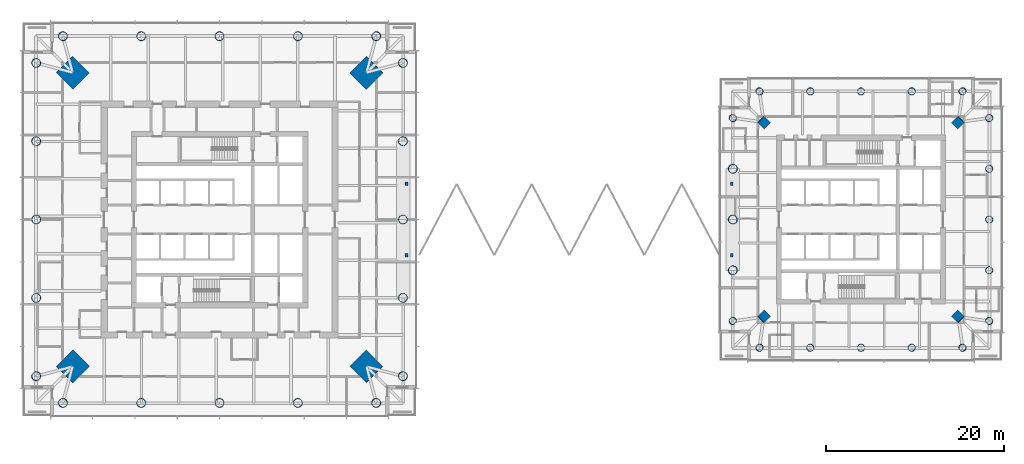
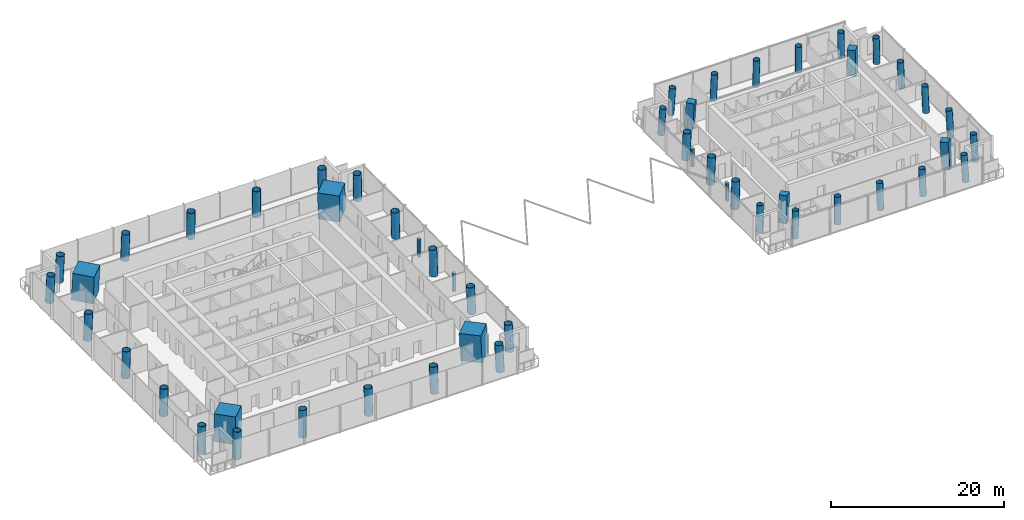
# One storey, part 1 of 19: 52 columns.
"""IFC4 building model written with IfcOpenShell, lengths in metres."""

import ifcopenshell
import ifcopenshell.guid

model = None  # the IFC model being written
_history = None  # IfcOwnerHistory: only IFC2X3 demands one
_inside = {}  # id of a spatial element -> (the spatial element, [elements in it])
_under = {}  # id of a project, library or spatial element -> (it, [spatial elements below it])
_declared = {}  # id of a project -> (the project, [libraries it declares])
_typed = {}  # id of a type object -> (the type object, [elements of that type])
_made_of = {}  # id of a material, layer set ... -> (it, [elements and type objects made of it])


def new_model(schema):
    """Start an empty IFC model of exactly this schema.

    Asked for "IFC4X3", IfcOpenShell would pick the latest addendum, in which some entities
    have other attributes; the version numbers below select the first issue.
    IFC2X3 requires an IfcOwnerHistory on every rooted entity: one is made here for all.
    """
    global model, _history
    if schema == "IFC4X3":
        model = ifcopenshell.file(schema_version=(4, 3, 0, 0))
    else:
        model = ifcopenshell.file(schema=schema)
    _inside.clear()
    _under.clear()
    _declared.clear()
    _typed.clear()
    _made_of.clear()
    _history = None
    if model.schema == "IFC2X3":
        org = make("IfcOrganization", Name="unknown")
        user = make(
            "IfcPersonAndOrganization",
            ThePerson=make("IfcPerson", FamilyName="unknown"),
            TheOrganization=org,
        )
        app = make(
            "IfcApplication",
            ApplicationDeveloper=org,
            Version="unknown",
            ApplicationFullName="unknown",
            ApplicationIdentifier="unknown",
        )
        _history = make(
            "IfcOwnerHistory",
            OwningUser=user,
            OwningApplication=app,
            ChangeAction="ADDED",
            CreationDate=0,
        )
    return model


def make(cls, **values):
    """One entity of the class cls with the attributes given. An attribute that is None is left unset."""
    return model.create_entity(
        cls, **{name: value for name, value in values.items() if value is not None}
    )


def rooted(cls, **values):
    """An entity with a GlobalId (a new one), such as an element, a storey or a relation."""
    return make(cls, GlobalId=ifcopenshell.guid.new(), OwnerHistory=_history, **values)


def si_unit(unit_type, name, prefix=None):
    """IfcSIUnit, for example si_unit("LENGTHUNIT", "METRE", prefix="MILLI")."""
    return make("IfcSIUnit", UnitType=unit_type, Prefix=prefix, Name=name)


def assignment(units):
    """IfcUnitAssignment: the units of a project."""
    return None if units is None else make("IfcUnitAssignment", Units=units)


def point(xyz):
    """IfcCartesianPoint."""
    return None if xyz is None else make("IfcCartesianPoint", Coordinates=xyz)


def direction(xyz):
    """IfcDirection."""
    return None if xyz is None else make("IfcDirection", DirectionRatios=xyz)


def frame(location, z_axis=None, x_axis=None):
    """IfcAxis2Placement3D, a coordinate frame: its origin and axes. An axis left out is left unset."""
    return make(
        "IfcAxis2Placement3D",
        Location=point(location),
        Axis=direction(z_axis),
        RefDirection=direction(x_axis),
    )


def frame_2d(location, x_axis=None):
    """IfcAxis2Placement2D, a coordinate frame in the plane: its origin and x axis."""
    return make(
        "IfcAxis2Placement2D", Location=point(location), RefDirection=direction(x_axis)
    )


def origin():
    """The frame at (0, 0, 0) with its axes left unset."""
    return frame((0.0, 0.0, 0.0))


def origin_2d():
    """The frame at (0, 0) in the plane with its x axis left unset."""
    return frame_2d((0.0, 0.0))


def place(relative_to, where):
    """IfcLocalPlacement: puts the frame where relative to a parent placement (None: the world)."""
    return make(
        "IfcLocalPlacement", PlacementRelTo=relative_to, RelativePlacement=where
    )


def context(
    kind, dimensions, precision=None, world=None, true_north=None, identifier=None
):
    """IfcGeometricRepresentationContext, for example the 3D "Model" context."""
    return make(
        "IfcGeometricRepresentationContext",
        ContextIdentifier=identifier,
        ContextType=kind,
        CoordinateSpaceDimension=dimensions,
        Precision=precision,
        WorldCoordinateSystem=world,
        TrueNorth=true_north,
    )


def subcontext(parent, identifier, kind, view, scale=None):
    """IfcGeometricRepresentationSubContext, for example "Body" below "Model"."""
    return make(
        "IfcGeometricRepresentationSubContext",
        ContextIdentifier=identifier,
        ContextType=kind,
        ParentContext=parent,
        TargetScale=scale,
        TargetView=view,
    )


def project(units=None, contexts=None):
    """IfcProject with its units and contexts."""
    return rooted(
        "IfcProject",
        Name="project",
        RepresentationContexts=contexts,
        UnitsInContext=assignment(units),
    )


def spatial(cls, under=None, at=None, **own):
    """A site, building, storey or space (cls), placed at a placement, below another one or the project."""
    s = rooted(cls, ObjectPlacement=at, **own)
    if under is not None:
        _under.setdefault(under.id(), (under, []))[1].append(s)
    return s


def profile(cls, at=None, kind="AREA", **sizes):
    """A parametric profile (cls). Its sizes go by their IFC names, for example OverallWidth=200.0."""
    return make(cls, ProfileType=kind, Position=at, **sizes)


def rectangle(**sizes):
    """IfcRectangleProfileDef."""
    return profile("IfcRectangleProfileDef", **sizes)


def hollow_circle(**sizes):
    """IfcCircleHollowProfileDef."""
    return profile("IfcCircleHollowProfileDef", **sizes)


def extrude(swept, where, along, depth):
    """IfcExtrudedAreaSolid: the profile swept, set in the frame where, extruded along a direction by depth."""
    return make(
        "IfcExtrudedAreaSolid",
        SweptArea=swept,
        Position=where,
        ExtrudedDirection=direction(along),
        Depth=depth,
    )


def shape(context_of_items, identifier, shape_type, items):
    """IfcShapeRepresentation: the items that make up one representation, for example the "Body"."""
    return make(
        "IfcShapeRepresentation",
        ContextOfItems=context_of_items,
        RepresentationIdentifier=identifier,
        RepresentationType=shape_type,
        Items=items,
    )


def material(Name=None, Category=None):
    """IfcMaterial."""
    return make("IfcMaterial", Name=Name, Category=Category)


def material_profile(
    of_material, cross_section, Name=None, Category=None, Priority=None
):
    """IfcMaterialProfile: a cross section and its material."""
    return make(
        "IfcMaterialProfile",
        Name=Name,
        Material=of_material,
        Profile=cross_section,
        Priority=Priority,
        Category=Category,
    )


def profile_set(profiles, Name=None, composite=None):
    """IfcMaterialProfileSet."""
    return make(
        "IfcMaterialProfileSet",
        Name=Name,
        MaterialProfiles=profiles,
        CompositeProfile=composite,
    )


def made_of(thing, what):
    """Note that an element or type object is made of a material, layer set ...; save() writes the relation."""
    if what is not None:
        _made_of.setdefault(what.id(), (what, []))[1].append(thing)
    return thing


def type_object(cls, material=None, **own):
    """A type object (cls), such as IfcWallType, which elements share."""
    return made_of(rooted(cls, **own), material)


def element(
    cls,
    number,
    at=None,
    inside=None,
    cuts=None,
    type_object=None,
    material=None,
    context=None,
    identifier="Body",
    shape_type=None,
    held_by="IfcProductDefinitionShape",
    body=None,
    shapes=None,
    **own,
):
    """One element of the class cls, such as IfcWall. Its Tag is "e" and its number.

    at: its placement. inside: the storey or other place that contains it. cuts: it is an
    opening in that element (IfcRelVoidsElement). A single representation is given by context,
    identifier, shape_type and body (its items); several are given by shapes. held_by: the class
    of the entity that holds the representations. save() writes the other relations.
    """
    e = rooted(cls, Tag="e%d" % number, ObjectPlacement=at, **own)
    if body is not None:
        shapes = [shape(context, identifier, shape_type, body)]
    if shapes is not None:
        e.Representation = make(held_by, Representations=shapes)
    if inside is not None:
        _inside.setdefault(inside.id(), (inside, []))[1].append(e)
    if cuts is not None:
        rooted(
            "IfcRelVoidsElement", RelatingBuildingElement=cuts, RelatedOpeningElement=e
        )
    if type_object is not None:
        _typed.setdefault(type_object.id(), (type_object, []))[1].append(e)
    return made_of(e, material)


def aggregate(whole, parts):
    """IfcRelAggregates: a whole, such as a stair, and the parts it consists of."""
    return rooted("IfcRelAggregates", RelatingObject=whole, RelatedObjects=parts)


def save(model, path):
    """Write the relations noted so far, then the file.

    IfcRelAggregates (storeys below a building ...), IfcRelContainedInSpatialStructure (elements
    in a storey), IfcRelDefinesByType, IfcRelAssociatesMaterial and IfcRelDeclares: one each for
    every whole, place, type object, material and project.
    """
    for whole, parts in _under.values():
        aggregate(whole, parts)
    for where, things in _inside.values():
        rooted(
            "IfcRelContainedInSpatialStructure",
            RelatedElements=things,
            RelatingStructure=where,
        )
    for kind, things in _typed.values():
        rooted("IfcRelDefinesByType", RelatedObjects=things, RelatingType=kind)
    for what, things in _made_of.values():
        rooted("IfcRelAssociatesMaterial", RelatedObjects=things, RelatingMaterial=what)
    for by, libraries in _declared.values():
        rooted("IfcRelDeclares", RelatingContext=by, RelatedDefinitions=libraries)
    model.write(path)


model = new_model("IFC4")

# Units and contexts
model_context = context("Model", 3, precision=1e-05, world=origin(), true_north=direction((0.0, 1.0)))
body_context = subcontext(model_context, "Body", "Model", "MODEL_VIEW")
ifc_project = project(units=[si_unit("LENGTHUNIT", "METRE"), si_unit("AREAUNIT", "SQUARE_METRE"), si_unit("VOLUMEUNIT", "CUBIC_METRE"), si_unit("PLANEANGLEUNIT", "RADIAN"), si_unit("MASSUNIT", "GRAM", prefix="KILO")], contexts=[model_context])

# Site, building, storey
site_placement = place(None, origin())
site = spatial("IfcSite", under=ifc_project, at=site_placement, CompositionType="ELEMENT")
building_placement = place(site_placement, origin())
building = spatial("IfcBuilding", under=site, at=building_placement, Name="Ostroluk Exchange", CompositionType="ELEMENT")
storey_placement = place(building_placement, frame((0.0, 0.0, 127.39990234375)))
storey = spatial("IfcBuildingStorey", under=building, at=storey_placement, Name="L32", CompositionType="ELEMENT", Elevation=127.39990234375)

# Columns
ifc_material_1 = material(Name="Steel S355", Category="steel")
ifc_material_profile_1 = material_profile(ifc_material_1, rectangle(XDim=0.300048828125, YDim=0.39990234375, at=origin_2d()), Name="PL 300x400")
ifc_profile_set_1 = profile_set([ifc_material_profile_1], Name="Steel S355")
column_type_1 = type_object("IfcColumnType", Name="Bearing pedestal 300 x 400 x 2548", PredefinedType="COLUMN", material=ifc_profile_set_1)
for number, where, z_axis, x_axis, name in (
    (1, (65.978515625, 42.0, 0.0), (0.0, 0.0, 1.0), (1.0, 0.0, 0.0), "BR2 S bearing pedestal W"),
    (2, (102.5, 42.0, 0.0), (0.0, 0.0, 1.0), (1.0, 0.0, 0.0), "BR2 S bearing pedestal E"),
    (3, (65.978515625, 50.0, 0.0), (0.0, 0.0, 1.0), (1.0, 0.0, 0.0), "BR2 N bearing pedestal W"),
    (4, (102.5, 50.0, 0.0), (0.0, 0.0, 1.0), (1.0, 0.0, 0.0), "BR2 N bearing pedestal E"),
):
    element("IfcColumn", number, at=place(storey_placement, frame(where, z_axis=z_axis, x_axis=x_axis)), inside=storey, type_object=column_type_1, Name=name, PredefinedType="COLUMN", context=body_context, shape_type="SweptSolid", body=[
        extrude(rectangle(XDim=0.300048828125, YDim=0.39990234375, at=origin_2d()), origin(), (0.0, 0.0, 1.0), 2.548095703125),
    ])
ifc_material_2 = material(Name="Concrete C50/60", Category="concrete")
ifc_material_profile_2 = material_profile(ifc_material_2, rectangle(XDim=1.0, YDim=1.0, at=origin_2d()), Name="RC 1000x1000")
ifc_profile_set_2 = profile_set([ifc_material_profile_2], Name="Concrete C50/60")
column_type_2 = type_object("IfcColumnType", Name="Mega column RC 1000x1000", PredefinedType="COLUMN", material=ifc_profile_set_2)
for number, where, z_axis, x_axis, name in (
    (5, (127.913818359375, 56.913818359375, 0.0), (-0.043029647111, -0.043029647111, 0.998146732169), (0.707106781187, -0.707106781187, 0.0), "T2 mega column NE"),
    (6, (106.086181640625, 56.913818359375, 0.0), (0.043029647111, -0.043029647111, 0.998146732169), (0.707106781187, 0.707106781187, 0.0), "T2 mega column NW"),
    (7, (106.086181640625, 35.086181640625, 0.0), (0.043029647111, 0.043029647111, 0.998146732169), (-0.707106781187, 0.707106781187, 0.0), "T2 mega column SW"),
    (8, (127.913818359375, 35.086181640625, 0.0), (-0.043029647111, 0.043029647111, 0.998146732169), (-0.707106781187, -0.707106781187, 0.0), "T2 mega column SE"),
):
    element("IfcColumn", number, at=place(storey_placement, frame(where, z_axis=z_axis, x_axis=x_axis)), inside=storey, type_object=column_type_2, Name=name, PredefinedType="COLUMN", context=body_context, shape_type="SweptSolid", body=[
        extrude(rectangle(XDim=1.0, YDim=1.0, at=origin_2d()), origin(), (0.0, 0.0, 1.0), 3.80712890625),
    ])
ifc_material_3 = material(Name="Concrete C50/60", Category="concrete")
ifc_material_profile_3 = material_profile(ifc_material_3, rectangle(XDim=2.60009765625, YDim=2.60009765625, at=origin_2d()), Name="RC 2600x2600")
ifc_profile_set_3 = profile_set([ifc_material_profile_3], Name="Concrete C50/60")
column_type_3 = type_object("IfcColumnType", Name="Mega column RC 2600x2600", PredefinedType="COLUMN", material=ifc_profile_set_3)
for number, where, z_axis, x_axis, name in (
    (9, (61.5, 62.5, 0.0), (-0.031898107953, -0.031898107953, 0.998981992539), (0.707106781187, -0.707106781187, 0.0), "T1 mega column NE"),
    (10, (28.5, 62.5, 0.0), (0.031898107953, -0.031898107953, 0.998981992539), (0.707106781187, 0.707106781187, 0.0), "T1 mega column NW"),
    (11, (28.5, 29.5, 0.0), (0.031898107953, 0.031898107953, 0.998981992539), (-0.707106781187, 0.707106781187, 0.0), "T1 mega column SW"),
    (12, (61.5, 29.5, 0.0), (-0.031898107953, 0.031898107953, 0.998981992539), (-0.707106781187, -0.707106781187, 0.0), "T1 mega column SE"),
):
    element("IfcColumn", number, at=place(storey_placement, frame(where, z_axis=z_axis, x_axis=x_axis)), inside=storey, type_object=column_type_3, Name=name, PredefinedType="COLUMN", context=body_context, shape_type="SweptSolid", body=[
        extrude(rectangle(XDim=2.60009765625, YDim=2.60009765625, at=origin_2d()), origin(), (0.0, 0.0, 1.0), 3.803955078125),
    ])
ifc_material_4 = material(Name="Steel S460", Category="steel")
ifc_material_profile_4 = material_profile(ifc_material_4, hollow_circle(Radius=0.508056640625, WallThickness=0.0400390625, at=origin_2d()), Name="CHS 1016x40")
ifc_profile_set_4 = profile_set([ifc_material_profile_4], Name="Steel S460")
column_type_4 = type_object("IfcColumnType", Name="Perimeter column CHS 1016x40", PredefinedType="COLUMN", material=ifc_profile_set_4)
for number, where, z_axis, x_axis, name in (
    (13, (65.60009765625, 28.39990234375, 0.0), (-0.031962158256, 0.031962158256, 0.998977898093), (-0.707106781187, -0.707106781187, 0.0), "T1 east face column E0"),
    (14, (65.60009765625, 63.60009765625, 0.0), (-0.031962158256, -0.031962158256, 0.998977898093), (0.707106781187, -0.707106781187, 0.0), "T1 east face column E1"),
):
    element("IfcColumn", number, at=place(storey_placement, frame(where, z_axis=z_axis, x_axis=x_axis)), inside=storey, type_object=column_type_4, Name=name, PredefinedType="COLUMN", context=body_context, shape_type="SweptSolid", body=[
        extrude(hollow_circle(Radius=0.508056640625, WallThickness=0.0400390625, at=origin_2d()), origin(), (0.0, 0.0, 1.0), 3.803955078125),
    ])
column_1_placement = place(storey_placement, frame((65.60009765625, 37.199951171875, 0.0), z_axis=(-0.031974409754, 0.015987204877, 0.999360818924), x_axis=(-0.4472135955, -0.894427191, 0.0)))
element("IfcColumn", 15, at=column_1_placement, inside=storey, type_object=column_type_4, Name="T1 east face column I1", PredefinedType="COLUMN", context=body_context, shape_type="SweptSolid", body=[
    extrude(hollow_circle(Radius=0.508056640625, WallThickness=0.0400390625, at=origin_2d()), origin(), (0.0, 0.0, 1.0), 3.802490234375),
])
column_2_placement = place(storey_placement, frame((65.60009765625, 46.0, 0.0), z_axis=(-0.031978496719, 0.0, 0.999488557087), x_axis=(0.0, -1.0, 0.0)))
element("IfcColumn", 16, at=column_2_placement, inside=storey, type_object=column_type_4, Name="T1 east face column I2", PredefinedType="COLUMN", context=body_context, shape_type="SweptSolid", body=[
    extrude(hollow_circle(Radius=0.508056640625, WallThickness=0.0400390625, at=origin_2d()), origin(), (0.0, 0.0, 1.0), 3.802001953125),
])
column_3_placement = place(storey_placement, frame((65.60009765625, 54.800048828125, 0.0), z_axis=(-0.031974409754, -0.015987204877, 0.999360818924), x_axis=(0.4472135955, -0.894427191, 0.0)))
element("IfcColumn", 17, at=column_3_placement, inside=storey, type_object=column_type_4, Name="T1 east face column I3", PredefinedType="COLUMN", context=body_context, shape_type="SweptSolid", body=[
    extrude(hollow_circle(Radius=0.508056640625, WallThickness=0.0400390625, at=origin_2d()), origin(), (0.0, 0.0, 1.0), 3.802490234375),
])
for number, where, z_axis, x_axis, name in (
    (18, (62.60009765625, 66.60009765625, 0.0), (-0.031962158256, -0.031962158256, 0.998977898093), (0.707106781187, -0.707106781187, 0.0), "T1 north face column E0"),
    (19, (27.39990234375, 66.60009765625, 0.0), (0.031962158256, -0.031962158256, 0.998977898093), (0.707106781187, 0.707106781187, 0.0), "T1 north face column E1"),
):
    element("IfcColumn", number, at=place(storey_placement, frame(where, z_axis=z_axis, x_axis=x_axis)), inside=storey, type_object=column_type_4, Name=name, PredefinedType="COLUMN", context=body_context, shape_type="SweptSolid", body=[
        extrude(hollow_circle(Radius=0.508056640625, WallThickness=0.0400390625, at=origin_2d()), origin(), (0.0, 0.0, 1.0), 3.803955078125),
    ])
column_4_placement = place(storey_placement, frame((53.800048828125, 66.60009765625, 0.0), z_axis=(-0.015987204877, -0.031974409754, 0.999360818924), x_axis=(0.894427191, -0.4472135955, 0.0)))
element("IfcColumn", 20, at=column_4_placement, inside=storey, type_object=column_type_4, Name="T1 north face column I1", PredefinedType="COLUMN", context=body_context, shape_type="SweptSolid", body=[
    extrude(hollow_circle(Radius=0.508056640625, WallThickness=0.0400390625, at=origin_2d()), origin(), (0.0, 0.0, 1.0), 3.802490234375),
])
column_5_placement = place(storey_placement, frame((45.0, 66.60009765625, 0.0), z_axis=(0.0, -0.031978496719, 0.999488557087), x_axis=(1.0, 0.0, 0.0)))
element("IfcColumn", 21, at=column_5_placement, inside=storey, type_object=column_type_4, Name="T1 north face column I2", PredefinedType="COLUMN", context=body_context, shape_type="SweptSolid", body=[
    extrude(hollow_circle(Radius=0.508056640625, WallThickness=0.0400390625, at=origin_2d()), origin(), (0.0, 0.0, 1.0), 3.802001953125),
])
column_6_placement = place(storey_placement, frame((36.199951171875, 66.60009765625, 0.0), z_axis=(0.015987204877, -0.031974409754, 0.999360818924), x_axis=(0.894427191, 0.4472135955, 0.0)))
element("IfcColumn", 22, at=column_6_placement, inside=storey, type_object=column_type_4, Name="T1 north face column I3", PredefinedType="COLUMN", context=body_context, shape_type="SweptSolid", body=[
    extrude(hollow_circle(Radius=0.508056640625, WallThickness=0.0400390625, at=origin_2d()), origin(), (0.0, 0.0, 1.0), 3.802490234375),
])
for number, where, z_axis, x_axis, name in (
    (23, (24.39990234375, 63.60009765625, 0.0), (0.031962158256, -0.031962158256, 0.998977898093), (0.707106781187, 0.707106781187, 0.0), "T1 west face column E0"),
    (24, (24.39990234375, 28.39990234375, 0.0), (0.031962158256, 0.031962158256, 0.998977898093), (-0.707106781187, 0.707106781187, 0.0), "T1 west face column E1"),
):
    element("IfcColumn", number, at=place(storey_placement, frame(where, z_axis=z_axis, x_axis=x_axis)), inside=storey, type_object=column_type_4, Name=name, PredefinedType="COLUMN", context=body_context, shape_type="SweptSolid", body=[
        extrude(hollow_circle(Radius=0.508056640625, WallThickness=0.0400390625, at=origin_2d()), origin(), (0.0, 0.0, 1.0), 3.803955078125),
    ])
column_7_placement = place(storey_placement, frame((24.39990234375, 54.800048828125, 0.0), z_axis=(0.031974409754, -0.015987204877, 0.999360818924), x_axis=(0.4472135955, 0.894427191, 0.0)))
element("IfcColumn", 25, at=column_7_placement, inside=storey, type_object=column_type_4, Name="T1 west face column I1", PredefinedType="COLUMN", context=body_context, shape_type="SweptSolid", body=[
    extrude(hollow_circle(Radius=0.508056640625, WallThickness=0.0400390625, at=origin_2d()), origin(), (0.0, 0.0, 1.0), 3.802490234375),
])
column_8_placement = place(storey_placement, frame((24.39990234375, 46.0, 0.0), z_axis=(0.031978496719, 0.0, 0.999488557087), x_axis=(0.0, 1.0, 0.0)))
element("IfcColumn", 26, at=column_8_placement, inside=storey, type_object=column_type_4, Name="T1 west face column I2", PredefinedType="COLUMN", context=body_context, shape_type="SweptSolid", body=[
    extrude(hollow_circle(Radius=0.508056640625, WallThickness=0.0400390625, at=origin_2d()), origin(), (0.0, 0.0, 1.0), 3.802001953125),
])
column_9_placement = place(storey_placement, frame((24.39990234375, 37.199951171875, 0.0), z_axis=(0.031974409754, 0.015987204877, 0.999360818924), x_axis=(-0.4472135955, 0.894427191, 0.0)))
element("IfcColumn", 27, at=column_9_placement, inside=storey, type_object=column_type_4, Name="T1 west face column I3", PredefinedType="COLUMN", context=body_context, shape_type="SweptSolid", body=[
    extrude(hollow_circle(Radius=0.508056640625, WallThickness=0.0400390625, at=origin_2d()), origin(), (0.0, 0.0, 1.0), 3.802490234375),
])
for number, where, z_axis, x_axis, name in (
    (28, (27.39990234375, 25.39990234375, 0.0), (0.031962158256, 0.031962158256, 0.998977898093), (-0.707106781187, 0.707106781187, 0.0), "T1 south face column E0"),
    (29, (62.60009765625, 25.39990234375, 0.0), (-0.031962158256, 0.031962158256, 0.998977898093), (-0.707106781187, -0.707106781187, 0.0), "T1 south face column E1"),
):
    element("IfcColumn", number, at=place(storey_placement, frame(where, z_axis=z_axis, x_axis=x_axis)), inside=storey, type_object=column_type_4, Name=name, PredefinedType="COLUMN", context=body_context, shape_type="SweptSolid", body=[
        extrude(hollow_circle(Radius=0.508056640625, WallThickness=0.0400390625, at=origin_2d()), origin(), (0.0, 0.0, 1.0), 3.803955078125),
    ])
column_10_placement = place(storey_placement, frame((36.199951171875, 25.39990234375, 0.0), z_axis=(0.015987204877, 0.031974409754, 0.999360818924), x_axis=(-0.894427191, 0.4472135955, 0.0)))
element("IfcColumn", 30, at=column_10_placement, inside=storey, type_object=column_type_4, Name="T1 south face column I1", PredefinedType="COLUMN", context=body_context, shape_type="SweptSolid", body=[
    extrude(hollow_circle(Radius=0.508056640625, WallThickness=0.0400390625, at=origin_2d()), origin(), (0.0, 0.0, 1.0), 3.802490234375),
])
column_11_placement = place(storey_placement, frame((45.0, 25.39990234375, 0.0), z_axis=(0.0, 0.031978496719, 0.999488557087), x_axis=(-1.0, 0.0, 0.0)))
element("IfcColumn", 31, at=column_11_placement, inside=storey, type_object=column_type_4, Name="T1 south face column I2", PredefinedType="COLUMN", context=body_context, shape_type="SweptSolid", body=[
    extrude(hollow_circle(Radius=0.508056640625, WallThickness=0.0400390625, at=origin_2d()), origin(), (0.0, 0.0, 1.0), 3.802001953125),
])
column_12_placement = place(storey_placement, frame((53.800048828125, 25.39990234375, 0.0), z_axis=(-0.015987204877, 0.031974409754, 0.999360818924), x_axis=(-0.894427191, -0.4472135955, 0.0)))
element("IfcColumn", 32, at=column_12_placement, inside=storey, type_object=column_type_4, Name="T1 south face column I3", PredefinedType="COLUMN", context=body_context, shape_type="SweptSolid", body=[
    extrude(hollow_circle(Radius=0.508056640625, WallThickness=0.0400390625, at=origin_2d()), origin(), (0.0, 0.0, 1.0), 3.802490234375),
])
column_13_placement = place(storey_placement, frame((102.586181640625, 51.706787109375, 0.0), z_axis=(0.043059584825, -0.021497706284, 0.998841188968), x_axis=(0.446680166538, 0.894693706707, 0.0)))
element("IfcColumn", 33, at=column_13_placement, inside=storey, type_object=column_type_4, Name="T2 west face column I1", PredefinedType="COLUMN", context=body_context, shape_type="SweptSolid", body=[
    extrude(hollow_circle(Radius=0.508056640625, WallThickness=0.0400390625, at=origin_2d()), origin(), (0.0, 0.0, 1.0), 3.804443359375),
])
column_14_placement = place(storey_placement, frame((102.586181640625, 46.0, 0.0), z_axis=(0.043069538298, 0.0, 0.999072076915), x_axis=(0.0, 1.0, 0.0)))
element("IfcColumn", 34, at=column_14_placement, inside=storey, type_object=column_type_4, Name="T2 west face column I2", PredefinedType="COLUMN", context=body_context, shape_type="SweptSolid", body=[
    extrude(hollow_circle(Radius=0.508056640625, WallThickness=0.0400390625, at=origin_2d()), origin(), (0.0, 0.0, 1.0), 3.803466796875),
])
column_15_placement = place(storey_placement, frame((102.586181640625, 40.293212890625, 0.0), z_axis=(0.043059584825, 0.021497706284, 0.998841188968), x_axis=(-0.446680166538, 0.894693706707, 0.0)))
element("IfcColumn", 35, at=column_15_placement, inside=storey, type_object=column_type_4, Name="T2 west face column I3", PredefinedType="COLUMN", context=body_context, shape_type="SweptSolid", body=[
    extrude(hollow_circle(Radius=0.508056640625, WallThickness=0.0400390625, at=origin_2d()), origin(), (0.0, 0.0, 1.0), 3.804443359375),
])
ifc_material_5 = material(Name="Steel S460", Category="steel")
ifc_material_profile_5 = material_profile(ifc_material_5, hollow_circle(Radius=0.406494140625, WallThickness=0.030029296875, at=origin_2d()), Name="CHS 813x30")
ifc_profile_set_5 = profile_set([ifc_material_profile_5], Name="Steel S460")
column_type_5 = type_object("IfcColumnType", Name="Perimeter column CHS 813x30", PredefinedType="COLUMN", material=ifc_profile_set_5)
for number, where, z_axis, x_axis, name in (
    (36, (131.413818359375, 34.586181640625, 0.0), (-0.043029647111, 0.043029647111, 0.998146732169), (-0.707106781187, -0.707106781187, 0.0), "T2 east face column E0"),
    (37, (131.413818359375, 57.413818359375, 0.0), (-0.043029647111, -0.043029647111, 0.998146732169), (0.707106781187, -0.707106781187, 0.0), "T2 east face column E1"),
):
    element("IfcColumn", number, at=place(storey_placement, frame(where, z_axis=z_axis, x_axis=x_axis)), inside=storey, type_object=column_type_5, Name=name, PredefinedType="COLUMN", context=body_context, shape_type="SweptSolid", body=[
        extrude(hollow_circle(Radius=0.406494140625, WallThickness=0.030029296875, at=origin_2d()), origin(), (0.0, 0.0, 1.0), 3.80712890625),
    ])
column_16_placement = place(storey_placement, frame((131.413818359375, 40.293212890625, 0.0), z_axis=(-0.043059584825, 0.021497706284, 0.998841188968), x_axis=(-0.446680166538, -0.894693706707, 0.0)))
element("IfcColumn", 38, at=column_16_placement, inside=storey, type_object=column_type_5, Name="T2 east face column I1", PredefinedType="COLUMN", context=body_context, shape_type="SweptSolid", body=[
    extrude(hollow_circle(Radius=0.406494140625, WallThickness=0.030029296875, at=origin_2d()), origin(), (0.0, 0.0, 1.0), 3.804443359375),
])
column_17_placement = place(storey_placement, frame((131.413818359375, 46.0, 0.0), z_axis=(-0.043069538298, 0.0, 0.999072076915), x_axis=(0.0, -1.0, 0.0)))
element("IfcColumn", 39, at=column_17_placement, inside=storey, type_object=column_type_5, Name="T2 east face column I2", PredefinedType="COLUMN", context=body_context, shape_type="SweptSolid", body=[
    extrude(hollow_circle(Radius=0.406494140625, WallThickness=0.030029296875, at=origin_2d()), origin(), (0.0, 0.0, 1.0), 3.803466796875),
])
column_18_placement = place(storey_placement, frame((131.413818359375, 51.706787109375, 0.0), z_axis=(-0.043059584825, -0.021497706284, 0.998841188968), x_axis=(0.446680166538, -0.894693706707, 0.0)))
element("IfcColumn", 40, at=column_18_placement, inside=storey, type_object=column_type_5, Name="T2 east face column I3", PredefinedType="COLUMN", context=body_context, shape_type="SweptSolid", body=[
    extrude(hollow_circle(Radius=0.406494140625, WallThickness=0.030029296875, at=origin_2d()), origin(), (0.0, 0.0, 1.0), 3.804443359375),
])
for number, where, z_axis, x_axis, name in (
    (41, (128.413818359375, 60.413818359375, 0.0), (-0.043029647111, -0.043029647111, 0.998146732169), (0.707106781187, -0.707106781187, 0.0), "T2 north face column E0"),
    (42, (105.586181640625, 60.413818359375, 0.0), (0.043029647111, -0.043029647111, 0.998146732169), (0.707106781187, 0.707106781187, 0.0), "T2 north face column E1"),
):
    element("IfcColumn", number, at=place(storey_placement, frame(where, z_axis=z_axis, x_axis=x_axis)), inside=storey, type_object=column_type_5, Name=name, PredefinedType="COLUMN", context=body_context, shape_type="SweptSolid", body=[
        extrude(hollow_circle(Radius=0.406494140625, WallThickness=0.030029296875, at=origin_2d()), origin(), (0.0, 0.0, 1.0), 3.80712890625),
    ])
column_19_placement = place(storey_placement, frame((122.706787109375, 60.413818359375, 0.0), z_axis=(-0.021497706284, -0.043059584825, 0.998841188968), x_axis=(0.894693706707, -0.446680166538, 0.0)))
element("IfcColumn", 43, at=column_19_placement, inside=storey, type_object=column_type_5, Name="T2 north face column I1", PredefinedType="COLUMN", context=body_context, shape_type="SweptSolid", body=[
    extrude(hollow_circle(Radius=0.406494140625, WallThickness=0.030029296875, at=origin_2d()), origin(), (0.0, 0.0, 1.0), 3.804443359375),
])
column_20_placement = place(storey_placement, frame((117.0, 60.413818359375, 0.0), z_axis=(0.0, -0.043069538298, 0.999072076915), x_axis=(1.0, 0.0, 0.0)))
element("IfcColumn", 44, at=column_20_placement, inside=storey, type_object=column_type_5, Name="T2 north face column I2", PredefinedType="COLUMN", context=body_context, shape_type="SweptSolid", body=[
    extrude(hollow_circle(Radius=0.406494140625, WallThickness=0.030029296875, at=origin_2d()), origin(), (0.0, 0.0, 1.0), 3.803466796875),
])
column_21_placement = place(storey_placement, frame((111.293212890625, 60.413818359375, 0.0), z_axis=(0.021497706284, -0.043059584825, 0.998841188968), x_axis=(0.894693706707, 0.446680166538, 0.0)))
element("IfcColumn", 45, at=column_21_placement, inside=storey, type_object=column_type_5, Name="T2 north face column I3", PredefinedType="COLUMN", context=body_context, shape_type="SweptSolid", body=[
    extrude(hollow_circle(Radius=0.406494140625, WallThickness=0.030029296875, at=origin_2d()), origin(), (0.0, 0.0, 1.0), 3.804443359375),
])
for number, where, z_axis, x_axis, name in (
    (46, (102.586181640625, 57.413818359375, 0.0), (0.043029647111, -0.043029647111, 0.998146732169), (0.707106781187, 0.707106781187, 0.0), "T2 west face column E0"),
    (47, (102.586181640625, 34.586181640625, 0.0), (0.043029647111, 0.043029647111, 0.998146732169), (-0.707106781187, 0.707106781187, 0.0), "T2 west face column E1"),
    (48, (105.586181640625, 31.586181640625, 0.0), (0.043029647111, 0.043029647111, 0.998146732169), (-0.707106781187, 0.707106781187, 0.0), "T2 south face column E0"),
    (49, (128.413818359375, 31.586181640625, 0.0), (-0.043029647111, 0.043029647111, 0.998146732169), (-0.707106781187, -0.707106781187, 0.0), "T2 south face column E1"),
):
    element("IfcColumn", number, at=place(storey_placement, frame(where, z_axis=z_axis, x_axis=x_axis)), inside=storey, type_object=column_type_5, Name=name, PredefinedType="COLUMN", context=body_context, shape_type="SweptSolid", body=[
        extrude(hollow_circle(Radius=0.406494140625, WallThickness=0.030029296875, at=origin_2d()), origin(), (0.0, 0.0, 1.0), 3.80712890625),
    ])
column_22_placement = place(storey_placement, frame((111.293212890625, 31.586181640625, 0.0), z_axis=(0.021497706284, 0.043059584825, 0.998841188968), x_axis=(-0.894693706707, 0.446680166538, 0.0)))
element("IfcColumn", 50, at=column_22_placement, inside=storey, type_object=column_type_5, Name="T2 south face column I1", PredefinedType="COLUMN", context=body_context, shape_type="SweptSolid", body=[
    extrude(hollow_circle(Radius=0.406494140625, WallThickness=0.030029296875, at=origin_2d()), origin(), (0.0, 0.0, 1.0), 3.804443359375),
])
column_23_placement = place(storey_placement, frame((117.0, 31.586181640625, 0.0), z_axis=(0.0, 0.043069538298, 0.999072076915), x_axis=(-1.0, 0.0, 0.0)))
element("IfcColumn", 51, at=column_23_placement, inside=storey, type_object=column_type_5, Name="T2 south face column I2", PredefinedType="COLUMN", context=body_context, shape_type="SweptSolid", body=[
    extrude(hollow_circle(Radius=0.406494140625, WallThickness=0.030029296875, at=origin_2d()), origin(), (0.0, 0.0, 1.0), 3.803466796875),
])
column_24_placement = place(storey_placement, frame((122.706787109375, 31.586181640625, 0.0), z_axis=(-0.021497706284, 0.043059584825, 0.998841188968), x_axis=(-0.894693706707, -0.446680166538, 0.0)))
element("IfcColumn", 52, at=column_24_placement, inside=storey, type_object=column_type_5, Name="T2 south face column I3", PredefinedType="COLUMN", context=body_context, shape_type="SweptSolid", body=[
    extrude(hollow_circle(Radius=0.406494140625, WallThickness=0.030029296875, at=origin_2d()), origin(), (0.0, 0.0, 1.0), 3.804443359375),
])

save(model, "model.ifc")
